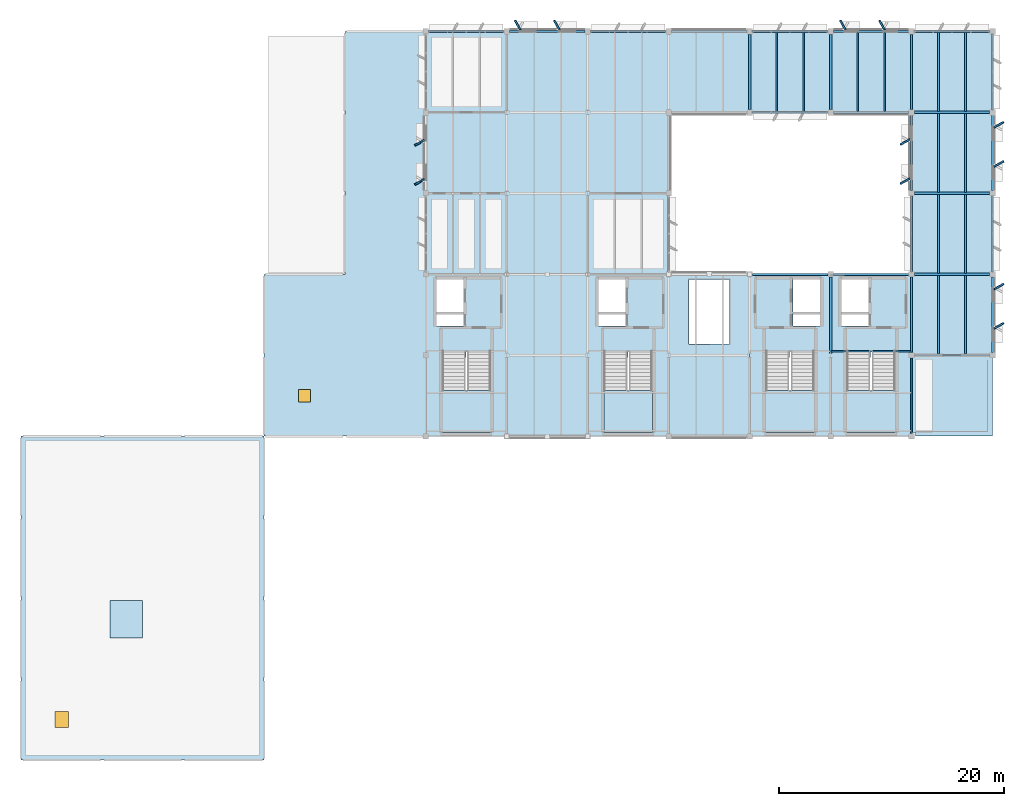
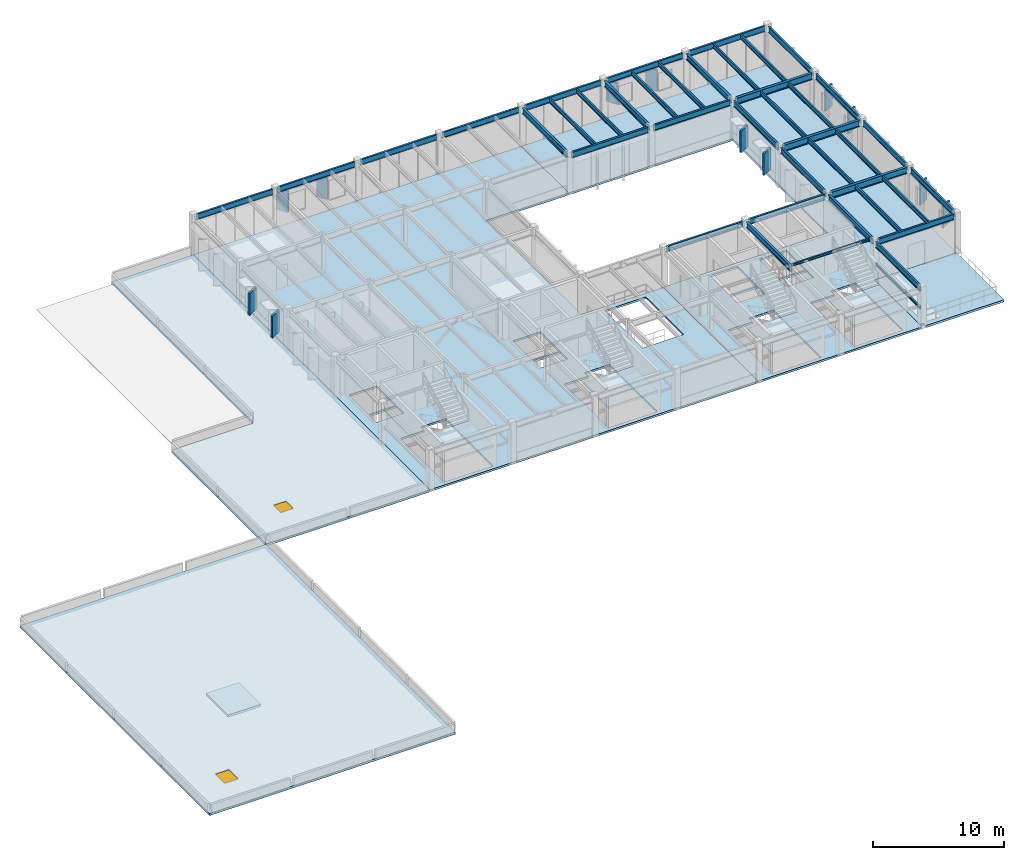
# One storey, part 4 of 23: 41 beams, 12 plates, 10 slabs, 2 doors, 2 openings, 4 elements without a shape of their own.
"""IFC4 building model written with IfcOpenShell, lengths in metres."""

from ifc_helpers import new_model, si_unit, direction, frame, origin, origin_2d, place, context, subcontext, project, spatial, polyline, rectangle, i_section, outline, extrude, material, layer, layer_set, material_profile, profile_set, type_object, element, fill, aggregate, save


model = new_model("IFC4")

# Units and contexts
model_context = context("Model", 3, precision=1e-05, world=origin(), true_north=direction((0.0, 1.0)))
body_context = subcontext(model_context, "Body", "Model", "MODEL_VIEW")
ifc_project = project(units=[si_unit("LENGTHUNIT", "METRE"), si_unit("AREAUNIT", "SQUARE_METRE"), si_unit("VOLUMEUNIT", "CUBIC_METRE"), si_unit("PLANEANGLEUNIT", "RADIAN"), si_unit("MASSUNIT", "GRAM", prefix="KILO")], contexts=[model_context])

# Site, building, storey
site_placement = place(None, origin())
site = spatial("IfcSite", under=ifc_project, at=site_placement, CompositionType="ELEMENT")
building_placement = place(site_placement, origin())
building = spatial("IfcBuilding", under=site, at=building_placement, Name="Sillqori Civic Hall", CompositionType="ELEMENT")
storey_placement = place(building_placement, frame((0.0, 0.0, 21.89990234375)))
storey = spatial("IfcBuildingStorey", under=building, at=storey_placement, Name="L06", CompositionType="ELEMENT", Elevation=21.89990234375)

# Beams
ifc_material_1 = material(Name="Steel ASTM A992", Category="steel")
ifc_material_profile_1 = material_profile(ifc_material_1, i_section(OverallWidth=0.2099609375, OverallDepth=0.532958984375, WebThickness=0.01025390625, FlangeThickness=0.015625, FilletRadius=0.013916015625, at=origin_2d()), Name="W21X62")
ifc_profile_set_1 = profile_set([ifc_material_profile_1], Name="Steel ASTM A992")
beam_type_1 = type_object("IfcBeamType", Name="BM-W21X62", PredefinedType="BEAM", material=ifc_profile_set_1)
beam_1_placement = place(storey_placement, frame((79.199951171875, 108.243896484375, 3.45361328125), z_axis=(0.0, 1.0, 0.0), x_axis=(-1.0, 0.0, 0.0)))
element("IfcBeam", 1, at=beam_1_placement, inside=storey, type_object=beam_type_1, Name="L06 girder Y 11-15", PredefinedType="BEAM", context=body_context, shape_type="SweptSolid", body=[
    extrude(i_section(OverallWidth=0.2099609375, OverallDepth=0.532958984375, WebThickness=0.01025390625, FlangeThickness=0.015625, FilletRadius=0.013916015625, at=origin_2d()), origin(), (0.0, 0.0, 1.0), 6.712158203125),
])
beam_2_placement = place(storey_placement, frame((86.39990234375, 86.574462890625, 3.45361328125), z_axis=(0.0, 1.0, 0.0), x_axis=(-1.0, 0.0, 0.0)))
element("IfcBeam", 2, at=beam_2_placement, inside=storey, type_object=beam_type_1, Name="L06 girder Y 12-12", PredefinedType="BEAM", context=body_context, shape_type="SweptSolid", body=[
    extrude(i_section(OverallWidth=0.2099609375, OverallDepth=0.532958984375, WebThickness=0.01025390625, FlangeThickness=0.015625, FilletRadius=0.013916015625, at=origin_2d()), origin(), (0.0, 0.0, 1.0), 6.781494140625),
])
beam_3_placement = place(storey_placement, frame((86.39990234375, 108.243896484375, 3.45361328125), z_axis=(0.0, 1.0, 0.0), x_axis=(-1.0, 0.0, 0.0)))
element("IfcBeam", 3, at=beam_3_placement, inside=storey, type_object=beam_type_1, Name="L06 girder Y 12-15", PredefinedType="BEAM", context=body_context, shape_type="SweptSolid", body=[
    extrude(i_section(OverallWidth=0.2099609375, OverallDepth=0.532958984375, WebThickness=0.01025390625, FlangeThickness=0.015625, FilletRadius=0.013916015625, at=origin_2d()), origin(), (0.0, 0.0, 1.0), 6.712158203125),
])
beam_4_placement = place(storey_placement, frame((93.60009765625, 86.64404296875, 3.45361328125), z_axis=(0.0, 1.0, 0.0), x_axis=(-1.0, 0.0, 0.0)))
element("IfcBeam", 4, at=beam_4_placement, inside=storey, type_object=beam_type_1, Name="L06 girder Y 13-12", PredefinedType="BEAM", context=body_context, shape_type="SweptSolid", body=[
    extrude(i_section(OverallWidth=0.2099609375, OverallDepth=0.532958984375, WebThickness=0.01025390625, FlangeThickness=0.015625, FilletRadius=0.013916015625, at=origin_2d()), origin(), (0.0, 0.0, 1.0), 6.7119140625),
])
beam_5_placement = place(storey_placement, frame((93.60009765625, 108.243896484375, 3.45361328125), z_axis=(0.0, 1.0, 0.0), x_axis=(-1.0, 0.0, 0.0)))
element("IfcBeam", 5, at=beam_5_placement, inside=storey, type_object=beam_type_1, Name="L06 girder Y 13-15", PredefinedType="BEAM", context=body_context, shape_type="SweptSolid", body=[
    extrude(i_section(OverallWidth=0.2099609375, OverallDepth=0.532958984375, WebThickness=0.01025390625, FlangeThickness=0.015625, FilletRadius=0.013916015625, at=origin_2d()), origin(), (0.0, 0.0, 1.0), 6.712158203125),
])
ifc_material_profile_2 = material_profile(ifc_material_1, i_section(OverallWidth=0.22802734375, OverallDepth=0.60205078125, WebThickness=0.010498046875, FlangeThickness=0.014892578125, FilletRadius=0.014892578125, at=origin_2d()), Name="W24X68")
ifc_profile_set_2 = profile_set([ifc_material_profile_2], Name="Steel ASTM A992")
beam_type_2 = type_object("IfcBeamType", Name="BM-W24X68", PredefinedType="BEAM", material=ifc_profile_set_2)
for number, where, z_axis, x_axis, name in (
    (6, (93.843994140625, 93.60009765625, 3.419189453125), (1.0, 0.0, 0.0), (0.0, 1.0, 0.0), "L06 girder X 13-13"),
    (7, (93.843994140625, 100.800048828125, 3.419189453125), (1.0, 0.0, 0.0), (0.0, 1.0, 0.0), "L06 girder X 13-14"),
    (8, (93.843994140625, 108.0, 3.419189453125), (1.0, 0.0, 0.0), (0.0, 1.0, 0.0), "L06 girder X 13-15"),
):
    element("IfcBeam", number, at=place(storey_placement, frame(where, z_axis=z_axis, x_axis=x_axis)), inside=storey, type_object=beam_type_2, Name=name, PredefinedType="BEAM", context=body_context, shape_type="SweptSolid", body=[
        extrude(i_section(OverallWidth=0.22802734375, OverallDepth=0.60205078125, WebThickness=0.010498046875, FlangeThickness=0.014892578125, FilletRadius=0.014892578125, at=origin_2d()), origin(), (0.0, 0.0, 1.0), 6.7119140625),
    ])
ifc_material_profile_3 = material_profile(ifc_material_1, i_section(OverallWidth=0.139892578125, OverallDepth=0.39892578125, WebThickness=0.00634765625, FlangeThickness=0.0087890625, FilletRadius=0.011962890625, at=origin_2d()), Name="W16X26")
ifc_profile_set_3 = profile_set([ifc_material_profile_3], Name="Steel ASTM A992")
beam_type_3 = type_object("IfcBeamType", Name="JS-W16X26", PredefinedType="JOIST", material=ifc_profile_set_3)
for number, where, z_axis, x_axis, name in (
    (9, (81.60009765625, 108.094970703125, 3.5205078125), (0.0, 1.0, 0.0), (-1.0, 0.0, 0.0), "L06 composite joist 11-15.1"),
    (10, (84.0, 108.094970703125, 3.5205078125), (0.0, 1.0, 0.0), (-1.0, 0.0, 0.0), "L06 composite joist 11-15.2"),
    (11, (88.800048828125, 108.094970703125, 3.5205078125), (0.0, 1.0, 0.0), (-1.0, 0.0, 0.0), "L06 composite joist 12-15.1"),
    (12, (91.199951171875, 108.094970703125, 3.5205078125), (0.0, 1.0, 0.0), (-1.0, 0.0, 0.0), "L06 composite joist 12-15.2"),
):
    element("IfcBeam", number, at=place(storey_placement, frame(where, z_axis=z_axis, x_axis=x_axis)), inside=storey, type_object=beam_type_3, Name=name, PredefinedType="JOIST", context=body_context, shape_type="SweptSolid", body=[
        extrude(i_section(OverallWidth=0.139892578125, OverallDepth=0.39892578125, WebThickness=0.00634765625, FlangeThickness=0.0087890625, FilletRadius=0.011962890625, at=origin_2d()), origin(), (0.0, 0.0, 1.0), 7.010009765625),
    ])
for number, where, z_axis, x_axis, name in (
    (13, (96.0, 86.4951171875, 3.5205078125), (0.0, 1.0, 0.0), (-1.0, 0.0, 0.0), "L06 composite joist 13-12.1"),
    (14, (98.39990234375, 86.4951171875, 3.5205078125), (0.0, 1.0, 0.0), (-1.0, 0.0, 0.0), "L06 composite joist 13-12.2"),
):
    element("IfcBeam", number, at=place(storey_placement, frame(where, z_axis=z_axis, x_axis=x_axis)), inside=storey, type_object=beam_type_3, Name=name, PredefinedType="JOIST", context=body_context, shape_type="SweptSolid", body=[
        extrude(i_section(OverallWidth=0.139892578125, OverallDepth=0.39892578125, WebThickness=0.00634765625, FlangeThickness=0.0087890625, FilletRadius=0.011962890625, at=origin_2d()), origin(), (0.0, 0.0, 1.0), 7.009765625),
    ])
for number, where, z_axis, x_axis, name in (
    (15, (96.0, 93.695068359375, 3.5205078125), (0.0, 1.0, 0.0), (-1.0, 0.0, 0.0), "L06 composite joist 13-13.1"),
    (16, (98.39990234375, 93.695068359375, 3.5205078125), (0.0, 1.0, 0.0), (-1.0, 0.0, 0.0), "L06 composite joist 13-13.2"),
    (17, (96.0, 100.89501953125, 3.5205078125), (0.0, 1.0, 0.0), (-1.0, 0.0, 0.0), "L06 composite joist 13-14.1"),
    (18, (98.39990234375, 100.89501953125, 3.5205078125), (0.0, 1.0, 0.0), (-1.0, 0.0, 0.0), "L06 composite joist 13-14.2"),
    (19, (96.0, 108.094970703125, 3.5205078125), (0.0, 1.0, 0.0), (-1.0, 0.0, 0.0), "L06 composite joist 13-15.1"),
    (20, (98.39990234375, 108.094970703125, 3.5205078125), (0.0, 1.0, 0.0), (-1.0, 0.0, 0.0), "L06 composite joist 13-15.2"),
):
    element("IfcBeam", number, at=place(storey_placement, frame(where, z_axis=z_axis, x_axis=x_axis)), inside=storey, type_object=beam_type_3, Name=name, PredefinedType="JOIST", context=body_context, shape_type="SweptSolid", body=[
        extrude(i_section(OverallWidth=0.139892578125, OverallDepth=0.39892578125, WebThickness=0.00634765625, FlangeThickness=0.0087890625, FilletRadius=0.011962890625, at=origin_2d()), origin(), (0.0, 0.0, 1.0), 7.010009765625),
    ])
ifc_material_profile_4 = material_profile(ifc_material_1, i_section(OverallWidth=0.133056640625, OverallDepth=0.20703125, WebThickness=0.005859375, FlangeThickness=0.00830078125, FilletRadius=0.008056640625, at=origin_2d()), Name="W8X18")
ifc_profile_set_4 = profile_set([ifc_material_profile_4], Name="Steel ASTM A992")
beam_type_4 = type_object("IfcBeamType", Name="LN-W8X18", PredefinedType="LINTEL", material=ifc_profile_set_4)
beam_6_placement = place(storey_placement, frame((93.60009765625, 79.444091796875, 1.632568359375), z_axis=(0.0, 1.0, 0.0), x_axis=(-1.0, 0.0, 0.0)))
element("IfcBeam", 21, at=beam_6_placement, inside=storey, type_object=beam_type_4, Name="L06 grid 13 stair landing stringer 1", PredefinedType="LINTEL", context=body_context, shape_type="SweptSolid", body=[
    extrude(i_section(OverallWidth=0.133056640625, OverallDepth=0.20703125, WebThickness=0.005859375, FlangeThickness=0.00830078125, FilletRadius=0.008056640625, at=origin_2d()), origin(), (0.0, 0.0, 1.0), 6.7119140625),
])
beam_7_placement = place(storey_placement, frame((86.449951171875, 86.77001953125, 3.62255859375), z_axis=(1.0, 0.0, 0.0), x_axis=(0.0, 1.0, 0.0)))
element("IfcBeam", 22, at=beam_7_placement, inside=storey, type_object=beam_type_4, Name="L06 C8 stair upper arrival steel trimmer", PredefinedType="LINTEL", context=body_context, shape_type="SweptSolid", body=[
    extrude(i_section(OverallWidth=0.133056640625, OverallDepth=0.20703125, WebThickness=0.005859375, FlangeThickness=0.00830078125, FilletRadius=0.008056640625, at=origin_2d()), origin(), (0.0, 0.0, 1.0), 7.10009765625),
])
ifc_material_profile_5 = material_profile(ifc_material_1, i_section(OverallWidth=0.166015625, OverallDepth=0.528076171875, WebThickness=0.009765625, FlangeThickness=0.013671875, FilletRadius=0.013916015625, at=origin_2d()), Name="W21X50")
ifc_profile_set_5 = profile_set([ifc_material_profile_5], Name="Steel ASTM A992")
beam_type_5 = type_object("IfcBeamType", Name="SP-W21X50", PredefinedType="SPANDREL", material=ifc_profile_set_5)
for number, where, z_axis, x_axis, name in (
    (23, (50.64404296875, 115.199951171875, 3.43603515625), (1.0, 0.0, 0.0), (0.0, 1.0, 0.0), "L06 girder X 7-16"),
    (24, (57.843994140625, 115.199951171875, 3.4560546875), (1.0, 0.0, 0.0), (0.0, 1.0, 0.0), "L06 girder X 8-16"),
):
    element("IfcBeam", number, at=place(storey_placement, frame(where, z_axis=z_axis, x_axis=x_axis)), inside=storey, type_object=beam_type_5, Name=name, PredefinedType="SPANDREL", context=body_context, shape_type="SweptSolid", body=[
        extrude(i_section(OverallWidth=0.166015625, OverallDepth=0.528076171875, WebThickness=0.009765625, FlangeThickness=0.013671875, FilletRadius=0.013916015625, at=origin_2d()), origin(), (0.0, 0.0, 1.0), 6.7119140625),
    ])
for number, where, z_axis, x_axis, name in (
    (25, (65.0439453125, 115.199951171875, 3.4560546875), (1.0, 0.0, 0.0), (0.0, 1.0, 0.0), "L06 girder X 9-16"),
    (26, (72.243896484375, 115.199951171875, 3.4560546875), (1.0, 0.0, 0.0), (0.0, 1.0, 0.0), "L06 girder X 10-16"),
):
    element("IfcBeam", number, at=place(storey_placement, frame(where, z_axis=z_axis, x_axis=x_axis)), inside=storey, type_object=beam_type_5, Name=name, PredefinedType="SPANDREL", context=body_context, shape_type="SweptSolid", body=[
        extrude(i_section(OverallWidth=0.166015625, OverallDepth=0.528076171875, WebThickness=0.009765625, FlangeThickness=0.013671875, FilletRadius=0.013916015625, at=origin_2d()), origin(), (0.0, 0.0, 1.0), 6.712158203125),
    ])
for number, where, z_axis, x_axis, name in (
    (27, (79.444091796875, 93.60009765625, 3.4560546875), (1.0, 0.0, 0.0), (0.0, 1.0, 0.0), "L06 girder X 11-13"),
    (28, (79.444091796875, 108.0, 3.4560546875), (1.0, 0.0, 0.0), (0.0, 1.0, 0.0), "L06 girder X 11-15"),
    (29, (79.444091796875, 115.199951171875, 3.4560546875), (1.0, 0.0, 0.0), (0.0, 1.0, 0.0), "L06 girder X 11-16"),
    (30, (86.64404296875, 93.60009765625, 3.4560546875), (1.0, 0.0, 0.0), (0.0, 1.0, 0.0), "L06 girder X 12-13"),
    (31, (86.64404296875, 108.0, 3.4560546875), (1.0, 0.0, 0.0), (0.0, 1.0, 0.0), "L06 girder X 12-15"),
    (32, (86.64404296875, 115.199951171875, 3.4560546875), (1.0, 0.0, 0.0), (0.0, 1.0, 0.0), "L06 girder X 12-16"),
    (33, (93.843994140625, 86.39990234375, 3.4560546875), (1.0, 0.0, 0.0), (0.0, 1.0, 0.0), "L06 girder X 13-12"),
    (34, (93.843994140625, 115.199951171875, 3.4560546875), (1.0, 0.0, 0.0), (0.0, 1.0, 0.0), "L06 girder X 13-16"),
    (35, (93.60009765625, 79.444091796875, 3.4560546875), (0.0, 1.0, 0.0), (-1.0, 0.0, 0.0), "L06 girder Y 13-11"),
    (36, (93.60009765625, 93.843994140625, 3.4560546875), (0.0, 1.0, 0.0), (-1.0, 0.0, 0.0), "L06 girder Y 13-13"),
):
    element("IfcBeam", number, at=place(storey_placement, frame(where, z_axis=z_axis, x_axis=x_axis)), inside=storey, type_object=beam_type_5, Name=name, PredefinedType="SPANDREL", context=body_context, shape_type="SweptSolid", body=[
        extrude(i_section(OverallWidth=0.166015625, OverallDepth=0.528076171875, WebThickness=0.009765625, FlangeThickness=0.013671875, FilletRadius=0.013916015625, at=origin_2d()), origin(), (0.0, 0.0, 1.0), 6.7119140625),
    ])
beam_8_placement = place(storey_placement, frame((93.60009765625, 101.0439453125, 3.4560546875), z_axis=(0.0, 1.0, 0.0), x_axis=(-1.0, 0.0, 0.0)))
element("IfcBeam", 37, at=beam_8_placement, inside=storey, type_object=beam_type_5, Name="L06 girder Y 13-14", PredefinedType="SPANDREL", context=body_context, shape_type="SweptSolid", body=[
    extrude(i_section(OverallWidth=0.166015625, OverallDepth=0.528076171875, WebThickness=0.009765625, FlangeThickness=0.013671875, FilletRadius=0.013916015625, at=origin_2d()), origin(), (0.0, 0.0, 1.0), 6.712158203125),
])
for number, where, z_axis, x_axis, name in (
    (38, (100.800048828125, 86.64404296875, 3.4560546875), (0.0, 1.0, 0.0), (-1.0, 0.0, 0.0), "L06 girder Y 14-12"),
    (39, (100.800048828125, 93.843994140625, 3.4560546875), (0.0, 1.0, 0.0), (-1.0, 0.0, 0.0), "L06 girder Y 14-13"),
):
    element("IfcBeam", number, at=place(storey_placement, frame(where, z_axis=z_axis, x_axis=x_axis)), inside=storey, type_object=beam_type_5, Name=name, PredefinedType="SPANDREL", context=body_context, shape_type="SweptSolid", body=[
        extrude(i_section(OverallWidth=0.166015625, OverallDepth=0.528076171875, WebThickness=0.009765625, FlangeThickness=0.013671875, FilletRadius=0.013916015625, at=origin_2d()), origin(), (0.0, 0.0, 1.0), 6.7119140625),
    ])
for number, where, z_axis, x_axis, name in (
    (40, (100.800048828125, 101.0439453125, 3.4560546875), (0.0, 1.0, 0.0), (-1.0, 0.0, 0.0), "L06 girder Y 14-14"),
    (41, (100.800048828125, 108.243896484375, 3.4560546875), (0.0, 1.0, 0.0), (-1.0, 0.0, 0.0), "L06 girder Y 14-15"),
):
    element("IfcBeam", number, at=place(storey_placement, frame(where, z_axis=z_axis, x_axis=x_axis)), inside=storey, type_object=beam_type_5, Name=name, PredefinedType="SPANDREL", context=body_context, shape_type="SweptSolid", body=[
        extrude(i_section(OverallWidth=0.166015625, OverallDepth=0.528076171875, WebThickness=0.009765625, FlangeThickness=0.013671875, FilletRadius=0.013916015625, at=origin_2d()), origin(), (0.0, 0.0, 1.0), 6.712158203125),
    ])

# Plates
ifc_material_2 = material(Name="Precast concrete C40/50 (H40)", Category="concrete")
ifc_layer_1 = layer(ifc_material_2, 0.159912109375)
ifc_layer_set_1 = layer_set([ifc_layer_1], Name="Precast concrete C40/50 (H40)")
plate_type = type_object("IfcPlateType", Name="REV-SAW-200", PredefinedType="USERDEFINED", material=ifc_layer_set_1)
for number, where, z_axis, x_axis, name in (
    (42, (49.840087890625, 101.822998046875, 0.875), (0.0, 0.0, 1.0), (-0.5, 0.866025403784, 0.0), "Sawtooth stone window reveal L06-07-14-W.1"),
    (43, (49.840087890625, 105.306884765625, 0.875), (0.0, 0.0, 1.0), (-0.5, 0.866025403784, 0.0), "Sawtooth stone window reveal L06-07-14-W.2"),
    (44, (58.572998046875, 115.760009765625, 0.875), (0.0, 0.0, 1.0), (0.866025403784, 0.5, 0.0), "Sawtooth stone window reveal L06-08-15-N.1"),
    (45, (62.056884765625, 115.760009765625, 0.875), (0.0, 0.0, 1.0), (0.866025403784, 0.5, 0.0), "Sawtooth stone window reveal L06-08-15-N.2"),
    (46, (87.498046875, 115.760009765625, 0.800048828125), (0.0, 0.0, 1.0), (0.866025403784, 0.5, 0.0), "Sawtooth stone window reveal L06-12-15-N.1"),
    (47, (90.98193359375, 115.760009765625, 0.800048828125), (0.0, 0.0, 1.0), (0.866025403784, 0.5, 0.0), "Sawtooth stone window reveal L06-12-15-N.2"),
    (48, (101.360107421875, 92.501953125, 0.800048828125), (0.0, 0.0, 1.0), (0.5, -0.866025403784, 0.0), "Sawtooth stone window reveal L06-13-12-E.1"),
    (49, (101.360107421875, 89.01806640625, 0.800048828125), (0.0, 0.0, 1.0), (0.5, -0.866025403784, 0.0), "Sawtooth stone window reveal L06-13-12-E.2"),
    (50, (93.0400390625, 101.89794921875, 0.800048828125), (0.0, 0.0, 1.0), (-0.5, 0.866025403784, 0.0), "Sawtooth stone window reveal L06-13-14-W.1"),
    (51, (93.0400390625, 105.382080078125, 0.800048828125), (0.0, 0.0, 1.0), (-0.5, 0.866025403784, 0.0), "Sawtooth stone window reveal L06-13-14-W.2"),
    (52, (101.360107421875, 106.902099609375, 0.800048828125), (0.0, 0.0, 1.0), (0.5, -0.866025403784, 0.0), "Sawtooth stone window reveal L06-13-14-E.1"),
    (53, (101.360107421875, 103.41796875, 0.800048828125), (0.0, 0.0, 1.0), (0.5, -0.866025403784, 0.0), "Sawtooth stone window reveal L06-13-14-E.2"),
):
    element("IfcPlate", number, at=place(storey_placement, frame(where, z_axis=z_axis, x_axis=x_axis)), inside=storey, type_object=plate_type, Name=name, ObjectType="REVEAL_PANEL", PredefinedType="USERDEFINED", context=body_context, shape_type="SweptSolid", body=[
        extrude(rectangle(XDim=0.159912109375, YDim=0.97998046875, at=origin_2d()), origin(), (0.0, 0.0, 1.0), 2.0),
    ])

# Slabs
ifc_material_3 = material(Name="Concrete C30/37 (H30)", Category="concrete")
ifc_layer_2 = layer(ifc_material_3, 0.179931640625)
ifc_layer_set_2 = layer_set([ifc_layer_2], Name="Concrete C30/37 (H30)")
slab_type_1 = type_object("IfcSlabType", Name="SLB-FLR-180", PredefinedType="FLOOR", material=ifc_layer_set_2)
slab_1_placement = place(storey_placement, frame((0.0, 0.0, -0.179931640625)))
element("IfcSlab", 54, at=slab_1_placement, inside=storey, type_object=slab_type_1, Name="L06 V4 composite floor slab 1.1", PredefinedType="FLOOR", context=body_context, shape_type="SweptSolid", body=[
    extrude(outline(polyline([(50.39990234375, 108.0), (50.39990234375, 115.199951171875), (57.60009765625, 115.199951171875), (64.800048828125, 115.199951171875), (72.0, 115.199951171875), (79.199951171875, 115.199951171875), (79.199951171875, 108.0), (72.0, 108.0), (72.0, 100.800048828125), (72.0, 93.60009765625), (79.199951171875, 93.60009765625), (79.199951171875, 86.39990234375), (79.199951171875, 79.199951171875), (72.0, 79.199951171875), (64.800048828125, 79.199951171875), (57.60009765625, 79.199951171875), (50.39990234375, 79.199951171875), (50.39990234375, 86.39990234375), (50.39990234375, 93.60009765625), (50.39990234375, 100.800048828125), (50.39990234375, 108.0)]), holes=[polyline([(51.860107421875, 79.550048828125), (56.139892578125, 79.550048828125), (56.139892578125, 86.77001953125), (53.9599609375, 86.77001953125), (53.9599609375, 86.219970703125), (51.860107421875, 86.219970703125), (51.860107421875, 79.550048828125)]), polyline([(66.260009765625, 86.219970703125), (66.260009765625, 79.550048828125), (70.5400390625, 79.550048828125), (70.5400390625, 86.77001953125), (68.360107421875, 86.77001953125), (68.360107421875, 86.219970703125), (66.260009765625, 86.219970703125)]), polyline([(53.75, 90.10009765625), (51.35009765625, 90.10009765625), (51.35009765625, 89.0), (53.75, 89.0), (53.75, 90.10009765625)]), polyline([(65.75, 90.10009765625), (65.75, 89.0), (68.14990234375, 89.0), (68.14990234375, 90.10009765625), (65.75, 90.10009765625)]), polyline([(77.39990234375, 93.14990234375), (73.800048828125, 93.14990234375), (73.800048828125, 87.39990234375), (77.39990234375, 87.39990234375), (77.39990234375, 93.14990234375)]), polyline([(53.75, 93.14990234375), (51.35009765625, 93.14990234375), (51.35009765625, 90.25), (53.75, 90.25), (53.75, 93.14990234375)]), polyline([(65.75, 93.14990234375), (65.75, 90.25), (68.14990234375, 90.25), (68.14990234375, 93.14990234375), (65.75, 93.14990234375)])]), origin(), (0.0, 0.0, 1.0), 0.179931640625),
])
slab_2_placement = place(storey_placement, frame((0.0, 0.0, -0.179931640625)))
element("IfcSlab", 55, at=slab_2_placement, inside=storey, type_object=slab_type_1, Name="L06 V4 composite floor slab 2.1", PredefinedType="FLOOR", context=body_context, shape_type="SweptSolid", body=[
    extrude(outline(polyline([(86.39990234375, 93.60009765625), (93.60009765625, 93.60009765625), (93.60009765625, 100.800048828125), (93.60009765625, 108.0), (86.39990234375, 108.0), (79.199951171875, 108.0), (79.199951171875, 115.199951171875), (86.39990234375, 115.199951171875), (93.60009765625, 115.199951171875), (100.800048828125, 115.199951171875), (100.800048828125, 108.0), (100.800048828125, 100.800048828125), (100.800048828125, 93.60009765625), (100.800048828125, 86.39990234375), (93.60009765625, 86.39990234375), (93.60009765625, 79.199951171875), (86.39990234375, 79.199951171875), (79.199951171875, 79.199951171875), (79.199951171875, 86.39990234375), (79.199951171875, 93.60009765625), (86.39990234375, 93.60009765625)]), holes=[polyline([(80.659912109375, 86.219970703125), (80.659912109375, 79.550048828125), (84.93994140625, 79.550048828125), (84.93994140625, 86.77001953125), (82.760009765625, 86.77001953125), (82.760009765625, 86.219970703125), (80.659912109375, 86.219970703125)]), polyline([(87.860107421875, 86.219970703125), (87.860107421875, 79.550048828125), (92.139892578125, 79.550048828125), (92.139892578125, 86.77001953125), (89.9599609375, 86.77001953125), (89.9599609375, 86.219970703125), (87.860107421875, 86.219970703125)]), polyline([(85.449951171875, 90.10009765625), (83.050048828125, 90.10009765625), (83.050048828125, 89.0), (85.449951171875, 89.0), (85.449951171875, 90.10009765625)]), polyline([(89.75, 90.10009765625), (87.35009765625, 90.10009765625), (87.35009765625, 89.0), (89.75, 89.0), (89.75, 90.10009765625)]), polyline([(85.449951171875, 93.14990234375), (83.050048828125, 93.14990234375), (83.050048828125, 90.25), (85.449951171875, 90.25), (85.449951171875, 93.14990234375)]), polyline([(89.75, 93.14990234375), (87.35009765625, 93.14990234375), (87.35009765625, 90.25), (89.75, 90.25), (89.75, 93.14990234375)])]), origin(), (0.0, 0.0, 1.0), 0.179931640625),
])

# Stair, slab
ifc_material_4 = material(Name="Concrete C35/45 (H35)", Category="concrete")
stair_type_1 = type_object("IfcStairType", Name="STR-CORE-05", PredefinedType="DOUBLE_RETURN_STAIR", material=ifc_material_4)
stair_1_placement = place(storey_placement, origin())
stair_1 = element("IfcStair", 56, at=stair_1_placement, inside=storey, type_object=stair_type_1, Name="L06 Core exit stair ST-05", PredefinedType="DOUBLE_RETURN_STAIR")
ifc_layer_3 = layer(ifc_material_4, 0.199951171875)
ifc_layer_set_3 = layer_set([ifc_layer_3], Name="Concrete C35/45 (H35)")
slab_type_2 = type_object("IfcSlabType", Name="SLB-LND-220", PredefinedType="LANDING", material=ifc_layer_set_3)
slab_3_placement = place(storey_placement, frame((0.0, 0.0, 1.75)))
slab_3 = element("IfcSlab", 57, at=slab_3_placement, type_object=slab_type_2, Name="ST-05 landing 1", PredefinedType="LANDING", context=body_context, shape_type="SweptSolid", body=[
    extrude(outline(polyline([(51.824951171875, 83.25), (51.824951171875, 79.514892578125), (56.175048828125, 79.514892578125), (56.175048828125, 83.25), (51.824951171875, 83.25)])), origin(), (0.0, 0.0, 1.0), 0.2001953125),
])
aggregate(stair_1, [slab_3])

stair_type_2 = type_object("IfcStairType", Name="STR-CORE-06", PredefinedType="DOUBLE_RETURN_STAIR", material=ifc_material_4)
stair_2_placement = place(storey_placement, origin())
stair_2 = element("IfcStair", 58, at=stair_2_placement, inside=storey, type_object=stair_type_2, Name="L06 Core exit stair ST-06", PredefinedType="DOUBLE_RETURN_STAIR")
slab_4_placement = place(storey_placement, frame((0.0, 0.0, 1.75)))
slab_4 = element("IfcSlab", 59, at=slab_4_placement, type_object=slab_type_2, Name="ST-06 landing 1", PredefinedType="LANDING", context=body_context, shape_type="SweptSolid", body=[
    extrude(outline(polyline([(66.22509765625, 83.25), (66.22509765625, 79.514892578125), (70.574951171875, 79.514892578125), (70.574951171875, 83.25), (66.22509765625, 83.25)])), origin(), (0.0, 0.0, 1.0), 0.2001953125),
])
aggregate(stair_2, [slab_4])

stair_type_3 = type_object("IfcStairType", Name="STR-CORE-07", PredefinedType="DOUBLE_RETURN_STAIR", material=ifc_material_4)
stair_3_placement = place(storey_placement, origin())
stair_3 = element("IfcStair", 60, at=stair_3_placement, inside=storey, type_object=stair_type_3, Name="L06 Core exit stair ST-07", PredefinedType="DOUBLE_RETURN_STAIR")
slab_5_placement = place(storey_placement, frame((0.0, 0.0, 1.75)))
slab_5 = element("IfcSlab", 61, at=slab_5_placement, type_object=slab_type_2, Name="ST-07 landing 1", PredefinedType="LANDING", context=body_context, shape_type="SweptSolid", body=[
    extrude(outline(polyline([(80.625, 83.25), (80.625, 79.514892578125), (84.97509765625, 79.514892578125), (84.97509765625, 83.25), (80.625, 83.25)])), origin(), (0.0, 0.0, 1.0), 0.2001953125),
])
aggregate(stair_3, [slab_5])

stair_type_4 = type_object("IfcStairType", Name="STR-CORE-08", PredefinedType="DOUBLE_RETURN_STAIR", material=ifc_material_4)
stair_4_placement = place(storey_placement, origin())
stair_4 = element("IfcStair", 62, at=stair_4_placement, inside=storey, type_object=stair_type_4, Name="L06 Core exit stair ST-08", PredefinedType="DOUBLE_RETURN_STAIR")
slab_6_placement = place(storey_placement, frame((0.0, 0.0, 1.75)))
slab_6 = element("IfcSlab", 63, at=slab_6_placement, type_object=slab_type_2, Name="ST-08 landing 1", PredefinedType="LANDING", context=body_context, shape_type="SweptSolid", body=[
    extrude(outline(polyline([(87.824951171875, 83.25), (87.824951171875, 79.514892578125), (92.175048828125, 79.514892578125), (92.175048828125, 83.25), (87.824951171875, 83.25)])), origin(), (0.0, 0.0, 1.0), 0.2001953125),
])
aggregate(stair_4, [slab_6])

# Slab
ifc_layer_4 = layer(ifc_material_4, 0.219970703125)
ifc_layer_set_4 = layer_set([ifc_layer_4], Name="Concrete C35/45 (H35)")
slab_type_3 = type_object("IfcSlabType", Name="SLB-OVR-220", PredefinedType="ROOF", material=ifc_layer_set_4)
slab_7_placement = place(storey_placement, frame((0.0, 0.0, -0.419921875)))
element("IfcSlab", 64, at=slab_7_placement, inside=storey, type_object=slab_type_3, Name="Lift shaft overrun slab LF-06", PredefinedType="ROOF", context=body_context, shape_type="SweptSolid", body=[
    extrude(outline(polyline([(22.300048828125, 61.25), (25.199951171875, 61.25), (25.199951171875, 64.60009765625), (22.300048828125, 64.60009765625), (22.300048828125, 61.25)])), origin(), (0.0, 0.0, 1.0), 0.219970703125),
])

# Slab, opening, door
ifc_layer_5 = layer(ifc_material_3, 0.199951171875)
ifc_layer_set_5 = layer_set([ifc_layer_5], Name="Concrete C30/37 (H30)")
slab_type_4 = type_object("IfcSlabType", Name="SLB-ROOF-200", PredefinedType="ROOF", material=ifc_layer_set_5)
slab_8_placement = place(storey_placement, frame((0.0, 0.0, -0.199951171875)))
slab_8 = element("IfcSlab", 65, at=slab_8_placement, inside=storey, type_object=slab_type_4, Name="L06 flat structural roof over L05 1", PredefinedType="ROOF", context=body_context, shape_type="SweptSolid", body=[
    extrude(outline(polyline([(14.39990234375, 72.0), (14.39990234375, 79.199951171875), (21.60009765625, 79.199951171875), (28.800048828125, 79.199951171875), (36.0, 79.199951171875), (36.0, 72.0), (36.0, 64.800048828125), (36.0, 57.60009765625), (36.0, 50.39990234375), (28.800048828125, 50.39990234375), (21.60009765625, 50.39990234375), (14.39990234375, 50.39990234375), (14.39990234375, 57.60009765625), (14.39990234375, 64.800048828125), (14.39990234375, 72.0)]), holes=[polyline([(17.39990234375, 53.300048828125), (17.39990234375, 54.699951171875), (18.60009765625, 54.699951171875), (18.60009765625, 53.300048828125), (17.39990234375, 53.300048828125)])]), origin(), (0.0, 0.0, 1.0), 0.199951171875),
])
opening_1_placement = place(slab_8_placement, frame((18.0, 54.0, 0.0)))
opening_1 = element("IfcOpeningElement", 66, at=opening_1_placement, cuts=slab_8, Name="Opening TH-02", PredefinedType="OPENING", context=body_context, shape_type="SweptSolid", body=[
    extrude(rectangle(XDim=1.199951171875, YDim=1.39990234375, at=origin_2d()), frame((0.0, 0.0, -0.010009765625)), (0.0, 0.0, 1.0), 0.219970703125),
])
ifc_material_5 = material(Name="Galvanized Insulated Steel", Category="steel")
door_type_1 = type_object("IfcDoorType", Name="TRP-ROOF-120X140", OperationType="NOTDEFINED", PredefinedType="TRAPDOOR", material=ifc_material_5)
door_1_placement = place(opening_1_placement, frame((0.0, 0.0, 0.14990234375)))
door_1 = element("IfcDoor", 67, at=door_1_placement, inside=storey, type_object=door_type_1, Name="L06 maintenance roof access hatch 16", OperationType="SINGLE_SWING_LEFT", OverallHeight=1.39990234375, OverallWidth=1.199951171875, PredefinedType="TRAPDOOR", context=body_context, shape_type="SweptSolid", body=[
    extrude(rectangle(XDim=1.199951171875, YDim=1.39990234375, at=origin_2d()), origin(), (0.0, 0.0, 1.0), 0.050048828125),
])
fill(opening_1, door_1)

slab_9_placement = place(storey_placement, frame((0.0, 0.0, -0.199951171875)))
slab_9 = element("IfcSlab", 68, at=slab_9_placement, inside=storey, type_object=slab_type_4, Name="L06 flat structural roof over L05 2", PredefinedType="ROOF", context=body_context, shape_type="SweptSolid", body=[
    extrude(outline(polyline([(43.199951171875, 79.199951171875), (36.0, 79.199951171875), (36.0, 86.39990234375), (36.0, 93.60009765625), (43.199951171875, 93.60009765625), (43.199951171875, 100.800048828125), (43.199951171875, 108.0), (43.199951171875, 115.199951171875), (50.39990234375, 115.199951171875), (50.39990234375, 108.0), (50.39990234375, 100.800048828125), (50.39990234375, 93.60009765625), (50.39990234375, 86.39990234375), (50.39990234375, 79.199951171875), (43.199951171875, 79.199951171875)]), holes=[polyline([(39.050048828125, 82.25), (39.050048828125, 83.35009765625), (40.14990234375, 83.35009765625), (40.14990234375, 82.25), (39.050048828125, 82.25)])]), origin(), (0.0, 0.0, 1.0), 0.199951171875),
])
opening_2_placement = place(slab_9_placement, frame((39.60009765625, 82.800048828125, 0.0)))
opening_2 = element("IfcOpeningElement", 69, at=opening_2_placement, cuts=slab_9, Name="Opening TH-01", PredefinedType="OPENING", context=body_context, shape_type="SweptSolid", body=[
    extrude(rectangle(XDim=1.10009765625, YDim=1.10009765625, at=origin_2d()), frame((0.0, 0.0, -0.010009765625)), (0.0, 0.0, 1.0), 0.219970703125),
])
door_type_2 = type_object("IfcDoorType", Name="TRP-ROOF-110X110", OperationType="NOTDEFINED", PredefinedType="TRAPDOOR", material=ifc_material_5)
door_2_placement = place(opening_2_placement, frame((0.0, 0.0, 0.14990234375)))
door_2 = element("IfcDoor", 70, at=door_2_placement, inside=storey, type_object=door_type_2, Name="L06 maintenance roof access hatch 17", OperationType="SINGLE_SWING_LEFT", OverallHeight=1.10009765625, OverallWidth=1.10009765625, PredefinedType="TRAPDOOR", context=body_context, shape_type="SweptSolid", body=[
    extrude(rectangle(XDim=1.10009765625, YDim=1.10009765625, at=origin_2d()), origin(), (0.0, 0.0, 1.0), 0.050048828125),
])
fill(opening_2, door_2)

# Slab
ifc_layer_6 = layer(ifc_material_4, 0.199951171875)
ifc_layer_set_6 = layer_set([ifc_layer_6], Name="Concrete C35/45 (H35)")
slab_type_5 = type_object("IfcSlabType", Name="SLB-TER-200", PredefinedType="FLOOR", material=ifc_layer_set_6)
slab_10_placement = place(storey_placement, frame((0.0, 0.0, -0.199951171875)))
element("IfcSlab", 71, at=slab_10_placement, inside=storey, type_object=slab_type_5, Name="Mayoral East Setback Terrace", PredefinedType="FLOOR", context=body_context, shape_type="SweptSolid", body=[
    extrude(outline(polyline([(93.60009765625, 86.39990234375), (100.800048828125, 86.39990234375), (100.800048828125, 79.199951171875), (93.949951171875, 79.199951171875), (93.949951171875, 79.550048828125), (93.60009765625, 79.550048828125), (93.60009765625, 86.39990234375)])), origin(), (0.0, 0.0, 1.0), 0.199951171875),
])

save(model, "model.ifc")
